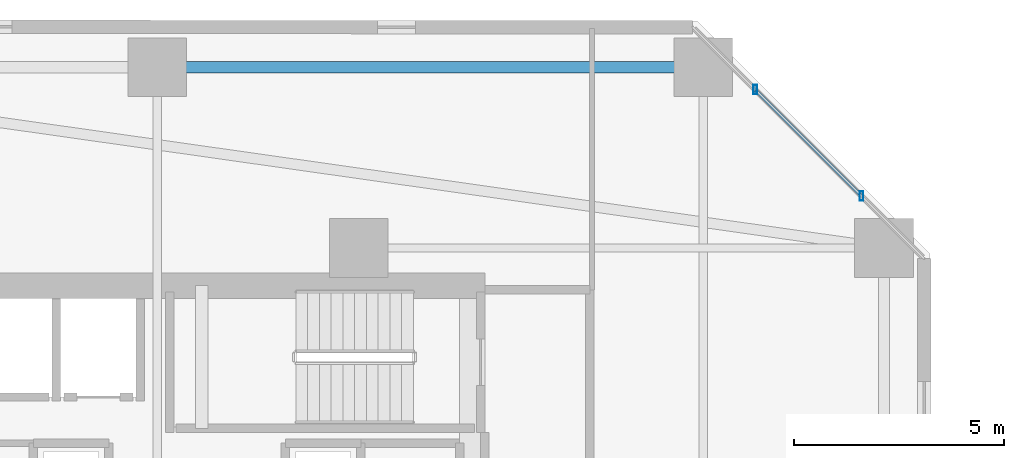
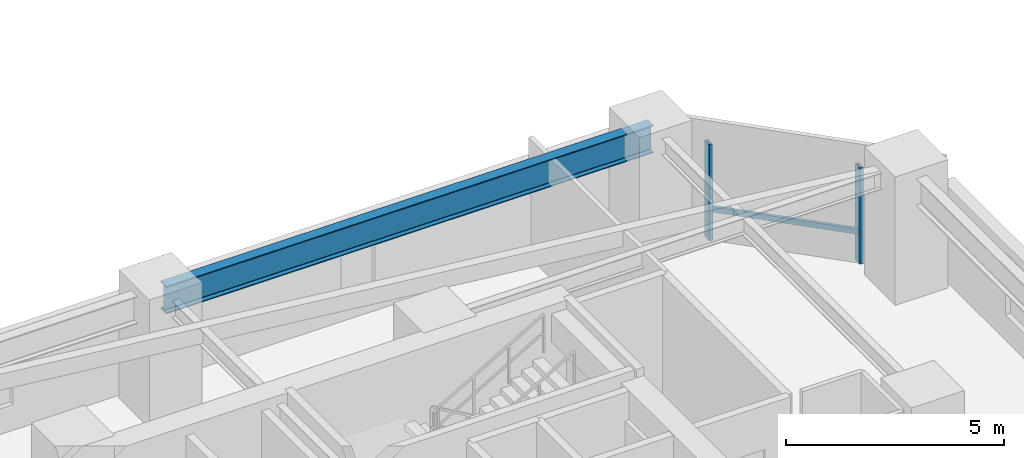
# One storey, part 9 of 33: 3 members, 1 beam, 1 element without a shape of its own.
"""IFC4 building model written with IfcOpenShell, lengths in metres."""

from ifc_helpers import new_model, si_unit, direction, frame, origin, origin_2d, place, context, subcontext, project, spatial, hollow_rectangle, i_section, extrude, material, material_profile, profile_set, type_object, element, aggregate, save


model = new_model("IFC4")

# Units and contexts
model_context = context("Model", 3, precision=1e-05, world=origin(), true_north=direction((0.0, 1.0)))
body_context = subcontext(model_context, "Body", "Model", "MODEL_VIEW")
ifc_project = project(units=[si_unit("LENGTHUNIT", "METRE"), si_unit("AREAUNIT", "SQUARE_METRE"), si_unit("VOLUMEUNIT", "CUBIC_METRE"), si_unit("PLANEANGLEUNIT", "RADIAN"), si_unit("MASSUNIT", "GRAM", prefix="KILO")], contexts=[model_context])

# Site, building, storey
site_placement = place(None, origin())
site = spatial("IfcSite", under=ifc_project, at=site_placement, CompositionType="ELEMENT")
building_placement = place(site_placement, origin())
building = spatial("IfcBuilding", under=site, at=building_placement, Name="Thornwick Lancets Civic Towers", CompositionType="ELEMENT")
storey_placement = place(building_placement, frame((0.0, 0.0, 35.10009765625)))
storey = spatial("IfcBuildingStorey", under=building, at=storey_placement, Name="L08", CompositionType="ELEMENT", Elevation=35.10009765625)

# Beam
ifc_material_1 = material(Name="Steel S355JR", Category="steel")
ifc_material_profile_1 = material_profile(ifc_material_1, i_section(OverallWidth=0.26806640625, OverallDepth=0.769775390625, WebThickness=0.015625, FlangeThickness=0.025390625, FilletRadius=0.0166015625, at=origin_2d()), Name="UKB 762x267x197")
ifc_profile_set_1 = profile_set([ifc_material_profile_1], Name="Steel S355JR")
beam_type = type_object("IfcBeamType", Name="BM_GIRD_762_197", PredefinedType="BEAM", material=ifc_profile_set_1)
beam_placement = place(storey_placement, frame((25.580078125, 44.300048828125, 2.97509765625), z_axis=(1.0, 0.0, 0.0), x_axis=(0.0, 1.0, 0.0)))
element("IfcBeam", 1, at=beam_placement, inside=storey, type_object=beam_type, Name="BM-SPINE-L08-A-7-8", PredefinedType="BEAM", context=body_context, shape_type="SweptSolid", body=[
    extrude(i_section(OverallWidth=0.26806640625, OverallDepth=0.769775390625, WebThickness=0.015625, FlangeThickness=0.025390625, FilletRadius=0.0166015625, at=origin_2d()), origin(), (0.0, 0.0, 1.0), 12.919921875),
])

# Curtain wall, members
ifc_material_2 = material(Name="Low-zone chamfered-corner unitised glass curtain wall", Category="glass")
curtain_wall_type = type_object("IfcCurtainWallType", Name="CW_SYS_03", PredefinedType="NOTDEFINED", material=ifc_material_2)
curtain_wall_placement = place(storey_placement, origin())
curtain_wall = element("IfcCurtainWall", 2, at=curtain_wall_placement, inside=storey, type_object=curtain_wall_type, Name="L08 Curtain Wall CW-L08-A-E3", PredefinedType="NOTDEFINED")
ifc_material_3 = material(Name="Thermally broken bronze aluminium S355", Category="steel")
ifc_material_profile_2 = material_profile(ifc_material_3, hollow_rectangle(XDim=0.090087890625, YDim=0.219970703125, WallThickness=0.00634765625, at=origin_2d()), Name="RHS 220x90x6.3")
ifc_profile_set_2 = profile_set([ifc_material_profile_2], Name="Thermally broken bronze aluminium S355")
member_type_1 = type_object("IfcMemberType", Name="CW_MUL_220", PredefinedType="MULLION", material=ifc_profile_set_2)
member_1_placement = place(storey_placement, frame((42.267578125, 41.235595703125, 0.0), z_axis=(0.0, 0.0, 1.0), x_axis=(1.0, 0.0, 0.0)))
member_1 = element("IfcMember", 3, at=member_1_placement, type_object=member_type_1, Name="CW-L08-A-E3 Mullion 0", PredefinedType="MULLION", context=body_context, shape_type="SweptSolid", body=[
    extrude(hollow_rectangle(XDim=0.090087890625, YDim=0.219970703125, WallThickness=0.00634765625, at=origin_2d()), origin(), (0.0, 0.0, 1.0), 2.699951171875),
])
member_2_placement = place(storey_placement, frame((39.735595703125, 43.767578125, 0.0), z_axis=(0.0, 0.0, 1.0), x_axis=(1.0, 0.0, 0.0)))
member_2 = element("IfcMember", 4, at=member_2_placement, type_object=member_type_1, Name="CW-L08-A-E3 Mullion 1", PredefinedType="MULLION", context=body_context, shape_type="SweptSolid", body=[
    extrude(hollow_rectangle(XDim=0.090087890625, YDim=0.219970703125, WallThickness=0.00634765625, at=origin_2d()), origin(), (0.0, 0.0, 1.0), 2.699951171875),
])
ifc_material_profile_3 = material_profile(ifc_material_3, hollow_rectangle(XDim=0.074951171875, YDim=0.14990234375, WallThickness=0.0048828125, at=origin_2d()), Name="RHS 150x75x5")
ifc_profile_set_3 = profile_set([ifc_material_profile_3], Name="Thermally broken bronze aluminium S355")
member_type_2 = type_object("IfcMemberType", Name="CW_TRN_150", PredefinedType="USERDEFINED", material=ifc_profile_set_3)
member_3_placement = place(storey_placement, frame((42.253662109375, 41.24951171875, 0.849853515625), z_axis=(-0.707106781187, 0.707106781187, 0.0), x_axis=(-0.707106781187, -0.707106781187, 0.0)))
member_3 = element("IfcMember", 5, at=member_3_placement, type_object=member_type_2, Name="CW-L08-A-E3 Transom 0", ObjectType="TRANSOM", PredefinedType="USERDEFINED", context=body_context, shape_type="SweptSolid", body=[
    extrude(hollow_rectangle(XDim=0.074951171875, YDim=0.14990234375, WallThickness=0.0048828125, at=origin_2d()), origin(), (0.0, 0.0, 1.0), 3.54150390625),
])
aggregate(curtain_wall, [member_1, member_2, member_3])

save(model, "model.ifc")
